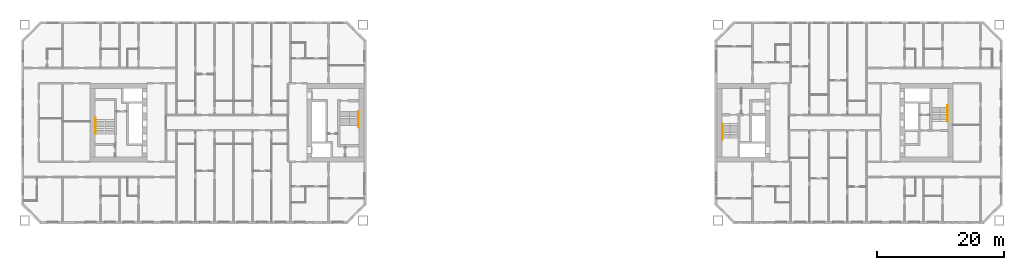
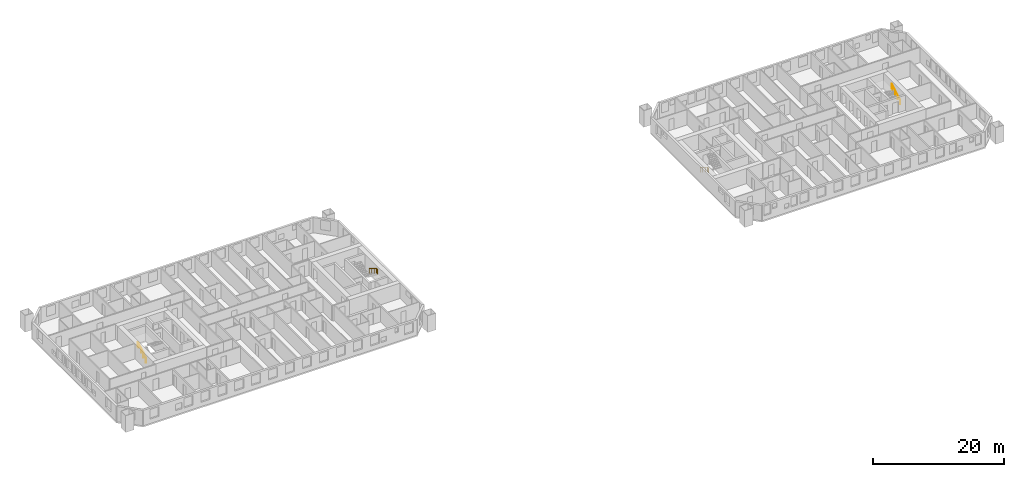
# One storey, part 17 of 17: 4 railings.
"""IFC4 building model written with IfcOpenShell, lengths in metres."""

from ifc_helpers import new_model, si_unit, direction, frame, origin, origin_2d, place, context, subcontext, project, spatial, circle, extrude, material, type_object, element, save


model = new_model("IFC4")

# Units and contexts
model_context = context("Model", 3, precision=1e-05, world=origin(), true_north=direction((0.0, 1.0)))
body_context = subcontext(model_context, "Body", "Model", "MODEL_VIEW")
ifc_project = project(units=[si_unit("LENGTHUNIT", "METRE"), si_unit("AREAUNIT", "SQUARE_METRE"), si_unit("VOLUMEUNIT", "CUBIC_METRE"), si_unit("PLANEANGLEUNIT", "RADIAN"), si_unit("MASSUNIT", "GRAM", prefix="KILO")], contexts=[model_context])

# Site, building, storey
site_placement = place(None, origin())
site = spatial("IfcSite", under=ifc_project, at=site_placement, CompositionType="ELEMENT")
building_placement = place(site_placement, origin())
building = spatial("IfcBuilding", under=site, at=building_placement, Name="Tuart Gate Housing", CompositionType="ELEMENT")
storey_placement = place(building_placement, frame((0.0, 0.0, 47.39990234375)))
storey = spatial("IfcBuildingStorey", under=building, at=storey_placement, Name="L12", CompositionType="ELEMENT", Elevation=47.39990234375)

# Railings
ifc_material = material(Name="Stainless steel", Category="steel")
railing_type = type_object("IfcRailingType", Name="Stair handrail 900", PredefinedType="HANDRAIL", material=ifc_material)
railing_1_placement = place(storey_placement, frame((74.780029296875, 71.77490234375, 0.17236328125)))
element("IfcRailing", 1, at=railing_1_placement, inside=storey, type_object=railing_type, Name="Stair handrail SA1.1", PredefinedType="HANDRAIL", context=body_context, shape_type="SweptSolid", body=[
    extrude(circle(Radius=0.02392578125, at=origin_2d()), frame((0.0, 0.0, 0.8759765625), z_axis=(0.0, -0.85178898068, 0.523885037382), x_axis=(1.0, 0.0, 0.0)), (0.0, 0.0, 1.0), 2.629638671875),
    extrude(circle(Radius=0.02392578125, at=origin_2d()), frame((0.0, -2.239990234375, 2.25341796875), z_axis=(0.0, -1.0, 0.0), x_axis=(1.0, 0.0, 0.0)), (0.0, 0.0, 1.0), 0.2998046875),
    extrude(circle(Radius=0.02099609375, at=origin_2d()), origin(), (0.0, 0.0, 1.0), 0.851806640625),
    extrude(circle(Radius=0.02099609375, at=origin_2d()), frame((0.0, -0.74658203125, 0.459228515625)), (0.0, 0.0, 1.0), 0.851806640625),
    extrude(circle(Radius=0.02099609375, at=origin_2d()), frame((0.0, -1.493408203125, 0.91845703125)), (0.0, 0.0, 1.0), 0.851806640625),
    extrude(circle(Radius=0.02099609375, at=origin_2d()), frame((0.0, -2.239990234375, 1.377685546875)), (0.0, 0.0, 1.0), 0.851806640625),
    extrude(circle(Radius=0.02099609375, at=origin_2d()), frame((0.0, -2.539794921875, 1.377685546875)), (0.0, 0.0, 1.0), 0.851806640625),
])
railing_2_placement = place(storey_placement, frame((33.219970703125, 68.22509765625, 0.17236328125)))
element("IfcRailing", 2, at=railing_2_placement, inside=storey, type_object=railing_type, Name="Stair handrail SA2.1", PredefinedType="HANDRAIL", context=body_context, shape_type="SweptSolid", body=[
    extrude(circle(Radius=0.02392578125, at=origin_2d()), frame((0.0, 0.0, 0.8759765625), z_axis=(0.0, 0.85178898068, 0.523885037382), x_axis=(-1.0, 0.0, 0.0)), (0.0, 0.0, 1.0), 2.629638671875),
    extrude(circle(Radius=0.02392578125, at=origin_2d()), frame((0.0, 2.239990234375, 2.25341796875), z_axis=(0.0, 1.0, 0.0), x_axis=(-1.0, 0.0, 0.0)), (0.0, 0.0, 1.0), 0.2998046875),
    extrude(circle(Radius=0.02099609375, at=origin_2d()), origin(), (0.0, 0.0, 1.0), 0.851806640625),
    extrude(circle(Radius=0.02099609375, at=origin_2d()), frame((0.0, 0.74658203125, 0.459228515625)), (0.0, 0.0, 1.0), 0.851806640625),
    extrude(circle(Radius=0.02099609375, at=origin_2d()), frame((0.0, 1.493408203125, 0.91845703125)), (0.0, 0.0, 1.0), 0.851806640625),
    extrude(circle(Radius=0.02099609375, at=origin_2d()), frame((0.0, 2.239990234375, 1.377685546875)), (0.0, 0.0, 1.0), 0.851806640625),
    extrude(circle(Radius=0.02099609375, at=origin_2d()), frame((0.0, 2.539794921875, 1.377685546875)), (0.0, 0.0, 1.0), 0.851806640625),
])
railing_3_placement = place(storey_placement, frame((132.219970703125, 69.824951171875, 0.17236328125)))
element("IfcRailing", 3, at=railing_3_placement, inside=storey, type_object=railing_type, Name="Stair handrail SB1.1", PredefinedType="HANDRAIL", context=body_context, shape_type="SweptSolid", body=[
    extrude(circle(Radius=0.02392578125, at=origin_2d()), frame((0.0, 0.0, 0.8759765625), z_axis=(0.0, -0.85178898068, 0.523885037382), x_axis=(1.0, 0.0, 0.0)), (0.0, 0.0, 1.0), 2.629638671875),
    extrude(circle(Radius=0.02392578125, at=origin_2d()), frame((0.0, -2.239990234375, 2.25341796875), z_axis=(0.0, -1.0, 0.0), x_axis=(1.0, 0.0, 0.0)), (0.0, 0.0, 1.0), 0.300048828125),
    extrude(circle(Radius=0.02099609375, at=origin_2d()), origin(), (0.0, 0.0, 1.0), 0.851806640625),
    extrude(circle(Radius=0.02099609375, at=origin_2d()), frame((0.0, -0.74658203125, 0.459228515625)), (0.0, 0.0, 1.0), 0.851806640625),
    extrude(circle(Radius=0.02099609375, at=origin_2d()), frame((0.0, -1.493408203125, 0.91845703125)), (0.0, 0.0, 1.0), 0.851806640625),
    extrude(circle(Radius=0.02099609375, at=origin_2d()), frame((0.0, -2.239990234375, 1.377685546875)), (0.0, 0.0, 1.0), 0.851806640625),
    extrude(circle(Radius=0.02099609375, at=origin_2d()), frame((0.0, -2.5400390625, 1.377685546875)), (0.0, 0.0, 1.0), 0.851806640625),
])
railing_4_placement = place(storey_placement, frame((167.780029296875, 70.175048828125, 0.17236328125)))
element("IfcRailing", 4, at=railing_4_placement, inside=storey, type_object=railing_type, Name="Stair handrail SB2.1", PredefinedType="HANDRAIL", context=body_context, shape_type="SweptSolid", body=[
    extrude(circle(Radius=0.02392578125, at=origin_2d()), frame((0.0, 0.0, 0.8759765625), z_axis=(0.0, 0.85178898068, 0.523885037382), x_axis=(-1.0, 0.0, 0.0)), (0.0, 0.0, 1.0), 2.629638671875),
    extrude(circle(Radius=0.02392578125, at=origin_2d()), frame((0.0, 2.239990234375, 2.25341796875), z_axis=(0.0, 1.0, 0.0), x_axis=(-1.0, 0.0, 0.0)), (0.0, 0.0, 1.0), 0.300048828125),
    extrude(circle(Radius=0.02099609375, at=origin_2d()), origin(), (0.0, 0.0, 1.0), 0.851806640625),
    extrude(circle(Radius=0.02099609375, at=origin_2d()), frame((0.0, 0.74658203125, 0.459228515625)), (0.0, 0.0, 1.0), 0.851806640625),
    extrude(circle(Radius=0.02099609375, at=origin_2d()), frame((0.0, 1.493408203125, 0.91845703125)), (0.0, 0.0, 1.0), 0.851806640625),
    extrude(circle(Radius=0.02099609375, at=origin_2d()), frame((0.0, 2.239990234375, 1.377685546875)), (0.0, 0.0, 1.0), 0.851806640625),
    extrude(circle(Radius=0.02099609375, at=origin_2d()), frame((0.0, 2.5400390625, 1.377685546875)), (0.0, 0.0, 1.0), 0.851806640625),
])

save(model, "model.ifc")
